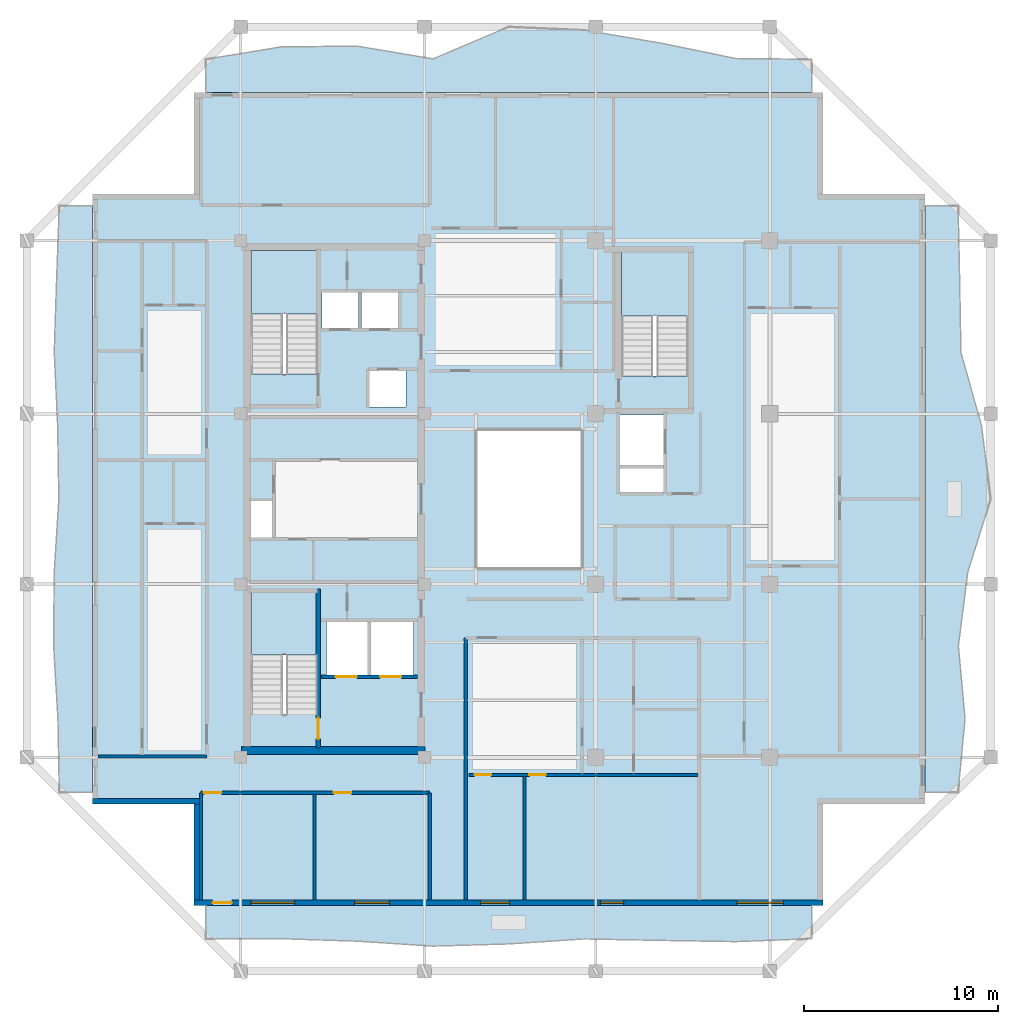
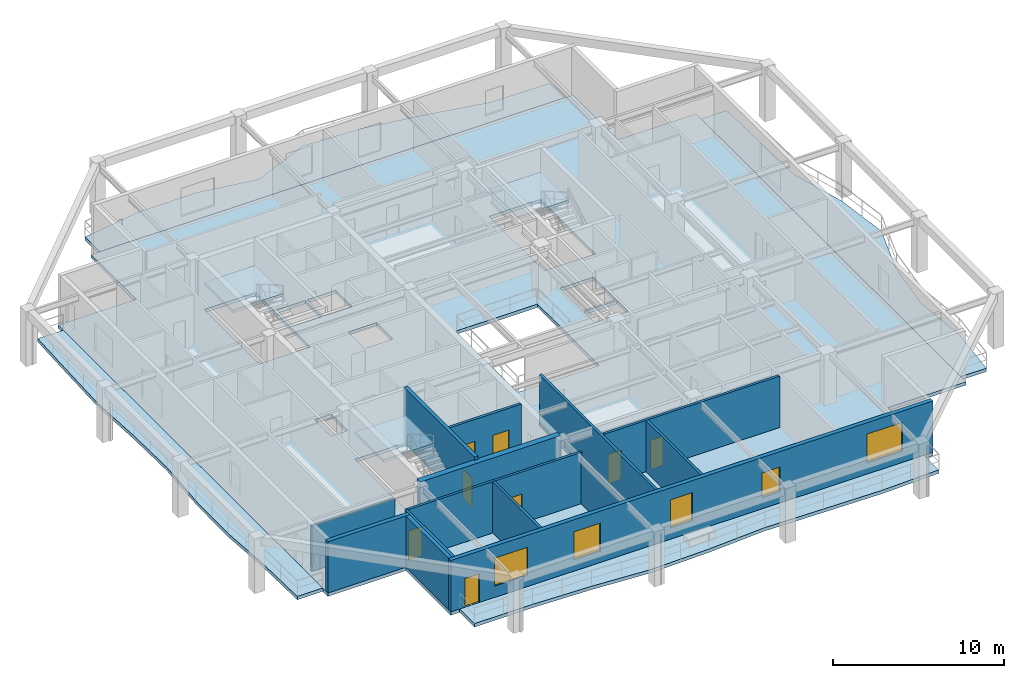
# One storey, part 2 of 11: 14 walls, 8 doors, 8 slabs, 5 windows, 13 openings, 3 elements without a shape of their own.
"""IFC4 building model written with IfcOpenShell, lengths in metres."""

import ifcopenshell
import ifcopenshell.guid

model = None  # the IFC model being written
_history = None  # IfcOwnerHistory: only IFC2X3 demands one
_inside = {}  # id of a spatial element -> (the spatial element, [elements in it])
_under = {}  # id of a project, library or spatial element -> (it, [spatial elements below it])
_declared = {}  # id of a project -> (the project, [libraries it declares])
_typed = {}  # id of a type object -> (the type object, [elements of that type])
_made_of = {}  # id of a material, layer set ... -> (it, [elements and type objects made of it])


def new_model(schema):
    """Start an empty IFC model of exactly this schema.

    Asked for "IFC4X3", IfcOpenShell would pick the latest addendum, in which some entities
    have other attributes; the version numbers below select the first issue.
    IFC2X3 requires an IfcOwnerHistory on every rooted entity: one is made here for all.
    """
    global model, _history
    if schema == "IFC4X3":
        model = ifcopenshell.file(schema_version=(4, 3, 0, 0))
    else:
        model = ifcopenshell.file(schema=schema)
    _inside.clear()
    _under.clear()
    _declared.clear()
    _typed.clear()
    _made_of.clear()
    _history = None
    if model.schema == "IFC2X3":
        org = make("IfcOrganization", Name="unknown")
        user = make(
            "IfcPersonAndOrganization",
            ThePerson=make("IfcPerson", FamilyName="unknown"),
            TheOrganization=org,
        )
        app = make(
            "IfcApplication",
            ApplicationDeveloper=org,
            Version="unknown",
            ApplicationFullName="unknown",
            ApplicationIdentifier="unknown",
        )
        _history = make(
            "IfcOwnerHistory",
            OwningUser=user,
            OwningApplication=app,
            ChangeAction="ADDED",
            CreationDate=0,
        )
    return model


def make(cls, **values):
    """One entity of the class cls with the attributes given. An attribute that is None is left unset."""
    return model.create_entity(
        cls, **{name: value for name, value in values.items() if value is not None}
    )


def rooted(cls, **values):
    """An entity with a GlobalId (a new one), such as an element, a storey or a relation."""
    return make(cls, GlobalId=ifcopenshell.guid.new(), OwnerHistory=_history, **values)


def si_unit(unit_type, name, prefix=None):
    """IfcSIUnit, for example si_unit("LENGTHUNIT", "METRE", prefix="MILLI")."""
    return make("IfcSIUnit", UnitType=unit_type, Prefix=prefix, Name=name)


def assignment(units):
    """IfcUnitAssignment: the units of a project."""
    return None if units is None else make("IfcUnitAssignment", Units=units)


def point(xyz):
    """IfcCartesianPoint."""
    return None if xyz is None else make("IfcCartesianPoint", Coordinates=xyz)


def direction(xyz):
    """IfcDirection."""
    return None if xyz is None else make("IfcDirection", DirectionRatios=xyz)


def frame(location, z_axis=None, x_axis=None):
    """IfcAxis2Placement3D, a coordinate frame: its origin and axes. An axis left out is left unset."""
    return make(
        "IfcAxis2Placement3D",
        Location=point(location),
        Axis=direction(z_axis),
        RefDirection=direction(x_axis),
    )


def frame_2d(location, x_axis=None):
    """IfcAxis2Placement2D, a coordinate frame in the plane: its origin and x axis."""
    return make(
        "IfcAxis2Placement2D", Location=point(location), RefDirection=direction(x_axis)
    )


def origin():
    """The frame at (0, 0, 0) with its axes left unset."""
    return frame((0.0, 0.0, 0.0))


def place(relative_to, where):
    """IfcLocalPlacement: puts the frame where relative to a parent placement (None: the world)."""
    return make(
        "IfcLocalPlacement", PlacementRelTo=relative_to, RelativePlacement=where
    )


def context(
    kind, dimensions, precision=None, world=None, true_north=None, identifier=None
):
    """IfcGeometricRepresentationContext, for example the 3D "Model" context."""
    return make(
        "IfcGeometricRepresentationContext",
        ContextIdentifier=identifier,
        ContextType=kind,
        CoordinateSpaceDimension=dimensions,
        Precision=precision,
        WorldCoordinateSystem=world,
        TrueNorth=true_north,
    )


def subcontext(parent, identifier, kind, view, scale=None):
    """IfcGeometricRepresentationSubContext, for example "Body" below "Model"."""
    return make(
        "IfcGeometricRepresentationSubContext",
        ContextIdentifier=identifier,
        ContextType=kind,
        ParentContext=parent,
        TargetScale=scale,
        TargetView=view,
    )


def project(units=None, contexts=None):
    """IfcProject with its units and contexts."""
    return rooted(
        "IfcProject",
        Name="project",
        RepresentationContexts=contexts,
        UnitsInContext=assignment(units),
    )


def spatial(cls, under=None, at=None, **own):
    """A site, building, storey or space (cls), placed at a placement, below another one or the project."""
    s = rooted(cls, ObjectPlacement=at, **own)
    if under is not None:
        _under.setdefault(under.id(), (under, []))[1].append(s)
    return s


def polyline(points):
    """IfcPolyline through the points."""
    return make("IfcPolyline", Points=[point(p) for p in points])


def profile(cls, at=None, kind="AREA", **sizes):
    """A parametric profile (cls). Its sizes go by their IFC names, for example OverallWidth=200.0."""
    return make(cls, ProfileType=kind, Position=at, **sizes)


def rectangle(**sizes):
    """IfcRectangleProfileDef."""
    return profile("IfcRectangleProfileDef", **sizes)


def outline(outer, holes=None, kind="AREA"):
    """IfcArbitraryClosedProfileDef: a profile drawn as a closed curve; with holes, ...WithVoids."""
    if holes is None:
        return make("IfcArbitraryClosedProfileDef", ProfileType=kind, OuterCurve=outer)
    return make(
        "IfcArbitraryProfileDefWithVoids",
        ProfileType=kind,
        OuterCurve=outer,
        InnerCurves=holes,
    )


def extrude(swept, where, along, depth):
    """IfcExtrudedAreaSolid: the profile swept, set in the frame where, extruded along a direction by depth."""
    return make(
        "IfcExtrudedAreaSolid",
        SweptArea=swept,
        Position=where,
        ExtrudedDirection=direction(along),
        Depth=depth,
    )


def shape(context_of_items, identifier, shape_type, items):
    """IfcShapeRepresentation: the items that make up one representation, for example the "Body"."""
    return make(
        "IfcShapeRepresentation",
        ContextOfItems=context_of_items,
        RepresentationIdentifier=identifier,
        RepresentationType=shape_type,
        Items=items,
    )


def material(Name=None, Category=None):
    """IfcMaterial."""
    return make("IfcMaterial", Name=Name, Category=Category)


def layer(
    of_material, thickness, ventilated=None, Name=None, Category=None, Priority=None
):
    """IfcMaterialLayer: one layer of a wall or slab, of a material (None: an air gap)."""
    return make(
        "IfcMaterialLayer",
        Material=of_material,
        LayerThickness=thickness,
        IsVentilated=ventilated,
        Name=Name,
        Category=Category,
        Priority=Priority,
    )


def layer_set(layers, Name=None):
    """IfcMaterialLayerSet."""
    return make("IfcMaterialLayerSet", MaterialLayers=layers, LayerSetName=Name)


def made_of(thing, what):
    """Note that an element or type object is made of a material, layer set ...; save() writes the relation."""
    if what is not None:
        _made_of.setdefault(what.id(), (what, []))[1].append(thing)
    return thing


def type_object(cls, material=None, **own):
    """A type object (cls), such as IfcWallType, which elements share."""
    return made_of(rooted(cls, **own), material)


def element(
    cls,
    number,
    at=None,
    inside=None,
    cuts=None,
    type_object=None,
    material=None,
    context=None,
    identifier="Body",
    shape_type=None,
    held_by="IfcProductDefinitionShape",
    body=None,
    shapes=None,
    **own,
):
    """One element of the class cls, such as IfcWall. Its Tag is "e" and its number.

    at: its placement. inside: the storey or other place that contains it. cuts: it is an
    opening in that element (IfcRelVoidsElement). A single representation is given by context,
    identifier, shape_type and body (its items); several are given by shapes. held_by: the class
    of the entity that holds the representations. save() writes the other relations.
    """
    e = rooted(cls, Tag="e%d" % number, ObjectPlacement=at, **own)
    if body is not None:
        shapes = [shape(context, identifier, shape_type, body)]
    if shapes is not None:
        e.Representation = make(held_by, Representations=shapes)
    if inside is not None:
        _inside.setdefault(inside.id(), (inside, []))[1].append(e)
    if cuts is not None:
        rooted(
            "IfcRelVoidsElement", RelatingBuildingElement=cuts, RelatedOpeningElement=e
        )
    if type_object is not None:
        _typed.setdefault(type_object.id(), (type_object, []))[1].append(e)
    return made_of(e, material)


def fill(opening, filler):
    """IfcRelFillsElement: the door or window that sits in an opening."""
    return rooted(
        "IfcRelFillsElement",
        RelatingOpeningElement=opening,
        RelatedBuildingElement=filler,
    )


def aggregate(whole, parts):
    """IfcRelAggregates: a whole, such as a stair, and the parts it consists of."""
    return rooted("IfcRelAggregates", RelatingObject=whole, RelatedObjects=parts)


def save(model, path):
    """Write the relations noted so far, then the file.

    IfcRelAggregates (storeys below a building ...), IfcRelContainedInSpatialStructure (elements
    in a storey), IfcRelDefinesByType, IfcRelAssociatesMaterial and IfcRelDeclares: one each for
    every whole, place, type object, material and project.
    """
    for whole, parts in _under.values():
        aggregate(whole, parts)
    for where, things in _inside.values():
        rooted(
            "IfcRelContainedInSpatialStructure",
            RelatedElements=things,
            RelatingStructure=where,
        )
    for kind, things in _typed.values():
        rooted("IfcRelDefinesByType", RelatedObjects=things, RelatingType=kind)
    for what, things in _made_of.values():
        rooted("IfcRelAssociatesMaterial", RelatedObjects=things, RelatingMaterial=what)
    for by, libraries in _declared.values():
        rooted("IfcRelDeclares", RelatingContext=by, RelatedDefinitions=libraries)
    model.write(path)


model = new_model("IFC4")

# Units and contexts
model_context = context("Model", 3, precision=1e-05, world=origin(), true_north=direction((0.0, 1.0)))
body_context = subcontext(model_context, "Body", "Model", "MODEL_VIEW")
ifc_project = project(units=[si_unit("LENGTHUNIT", "METRE"), si_unit("AREAUNIT", "SQUARE_METRE"), si_unit("VOLUMEUNIT", "CUBIC_METRE"), si_unit("PLANEANGLEUNIT", "RADIAN"), si_unit("MASSUNIT", "GRAM", prefix="KILO")], contexts=[model_context])

# Site, building, storey
site_placement = place(None, origin())
site = spatial("IfcSite", under=ifc_project, at=site_placement, CompositionType="ELEMENT")
building_placement = place(site_placement, origin())
building = spatial("IfcBuilding", under=site, at=building_placement, Name="Kundavana Baori Tower", CompositionType="ELEMENT")
storey_placement = place(building_placement, frame((0.0, 0.0, 253.10009765625)))
storey = spatial("IfcBuildingStorey", under=building, at=storey_placement, Name="L62", CompositionType="ELEMENT", Elevation=253.10009765625)

# Slab
ifc_material_1 = material(Name="Concrete C40/50", Category="concrete")
ifc_layer_1 = layer(ifc_material_1, 0.239990234375, Name="SLB-FLR-240")
ifc_layer_set_1 = layer_set([ifc_layer_1], Name="Concrete C40/50")
slab_type_1 = type_object("IfcSlabType", Name="SLB-FLR-240", PredefinedType="FLOOR", material=ifc_layer_set_1)
slab_1_placement = place(storey_placement, frame((0.0, 0.0, -0.239990234375)))
element("IfcSlab", 1, at=slab_1_placement, inside=storey, type_object=slab_type_1, Name="L62 Structural Floor Slab", PredefinedType="FLOOR", context=body_context, shape_type="SweptSolid", body=[
    extrude(outline(polyline([(13.050048828125, 7.60009765625), (45.550048828125, 7.60009765625), (45.550048828125, 12.85009765625), (50.800048828125, 12.85009765625), (50.800048828125, 44.35009765625), (45.550048828125, 44.35009765625), (45.550048828125, 49.60009765625), (13.050048828125, 49.60009765625), (13.050048828125, 44.35009765625), (7.800048828125, 44.35009765625), (7.800048828125, 12.85009765625), (13.050048828125, 12.85009765625), (13.050048828125, 7.60009765625)]), holes=[polyline([(19.43994140625, 17.4619140625), (19.43994140625, 23.85009765625), (15.97998046875, 23.85009765625), (15.97998046875, 17.4619140625), (19.43994140625, 17.4619140625)]), polyline([(19.43994140625, 35.06201171875), (19.43994140625, 41.449951171875), (15.97998046875, 41.449951171875), (15.97998046875, 35.06201171875), (19.43994140625, 35.06201171875)]), polyline([(38.580078125, 34.9619140625), (38.580078125, 41.35009765625), (35.1201171875, 41.35009765625), (35.1201171875, 34.9619140625), (38.580078125, 34.9619140625)]), polyline([(19.64990234375, 37.39990234375), (21.550048828125, 37.39990234375), (21.550048828125, 39.300048828125), (19.64990234375, 39.300048828125), (19.64990234375, 37.39990234375)]), polyline([(21.699951171875, 37.39990234375), (23.60009765625, 37.39990234375), (23.60009765625, 39.300048828125), (21.699951171875, 39.300048828125), (21.699951171875, 37.39990234375)]), polyline([(22.10009765625, 33.35009765625), (24.0, 33.35009765625), (24.0, 35.25), (22.10009765625, 35.25), (22.10009765625, 33.35009765625)]), polyline([(19.8798828125, 19.5), (22.02001953125, 19.5), (22.02001953125, 22.25), (19.8798828125, 22.25), (19.8798828125, 19.5)]), polyline([(22.179931640625, 19.5), (24.3798828125, 19.5), (24.3798828125, 22.25), (22.179931640625, 22.25), (22.179931640625, 19.5)]), polyline([(35.050048828125, 30.35009765625), (37.300048828125, 30.35009765625), (37.300048828125, 32.949951171875), (35.050048828125, 32.949951171875), (35.050048828125, 30.35009765625)]), polyline([(15.949951171875, 26.60009765625), (17.080078125, 26.60009765625), (17.080078125, 28.5), (15.949951171875, 28.5), (15.949951171875, 26.60009765625)]), polyline([(35.050048828125, 28.949951171875), (37.300048828125, 28.949951171875), (37.300048828125, 30.199951171875), (35.050048828125, 30.199951171875), (35.050048828125, 28.949951171875)]), polyline([(27.60009765625, 25.0), (33.10009765625, 25.0), (33.10009765625, 32.199951171875), (27.60009765625, 32.199951171875), (27.60009765625, 25.0)])]), origin(), (0.0, 0.0, 1.0), 0.239990234375),
])

# Stair, slab
ifc_material_2 = material(Name="Concrete C40/50", Category="concrete")
stair_type = type_object("IfcStairType", Name="STR-DOG-1650", PredefinedType="HALF_TURN_STAIR", material=ifc_material_2)
stair_1_placement = place(storey_placement, origin())
stair_1 = element("IfcStair", 2, at=stair_1_placement, inside=storey, type_object=stair_type, Name="L62 Protected Exit Stair ST1", PredefinedType="HALF_TURN_STAIR")
ifc_material_3 = material(Name="Concrete C40/50", Category="concrete")
ifc_layer_2 = layer(ifc_material_3, 0.199951171875, Name="SLB-LND-200")
ifc_layer_set_2 = layer_set([ifc_layer_2], Name="Concrete C40/50")
slab_type_2 = type_object("IfcSlabType", Name="SLB-LND-200", PredefinedType="LANDING", material=ifc_layer_set_2)
slab_2_placement = place(storey_placement, frame((0.0, 0.0, 1.75)))
slab_2 = element("IfcSlab", 3, at=slab_2_placement, type_object=slab_type_2, Name="ST1 landing 1", PredefinedType="LANDING", context=body_context, shape_type="SweptSolid", body=[
    extrude(outline(polyline([(19.43994140625, 20.550048828125), (19.43994140625, 23.85009765625), (15.97998046875, 23.85009765625), (15.97998046875, 20.550048828125), (19.43994140625, 20.550048828125)])), origin(), (0.0, 0.0, 1.0), 0.199951171875),
])
aggregate(stair_1, [slab_2])

stair_2_placement = place(storey_placement, origin())
stair_2 = element("IfcStair", 4, at=stair_2_placement, inside=storey, type_object=stair_type, Name="L62 Protected Exit Stair ST2", PredefinedType="HALF_TURN_STAIR")
slab_3_placement = place(storey_placement, frame((0.0, 0.0, 1.75)))
slab_3 = element("IfcSlab", 5, at=slab_3_placement, type_object=slab_type_2, Name="ST2 landing 1", PredefinedType="LANDING", context=body_context, shape_type="SweptSolid", body=[
    extrude(outline(polyline([(19.43994140625, 38.14990234375), (19.43994140625, 41.449951171875), (15.97998046875, 41.449951171875), (15.97998046875, 38.14990234375), (19.43994140625, 38.14990234375)])), origin(), (0.0, 0.0, 1.0), 0.199951171875),
])
aggregate(stair_2, [slab_3])

stair_3_placement = place(storey_placement, origin())
stair_3 = element("IfcStair", 6, at=stair_3_placement, inside=storey, type_object=stair_type, Name="L62 Protected Exit Stair ST3", PredefinedType="HALF_TURN_STAIR")
slab_4_placement = place(storey_placement, frame((0.0, 0.0, 1.75)))
slab_4 = element("IfcSlab", 7, at=slab_4_placement, type_object=slab_type_2, Name="ST3 landing 1", PredefinedType="LANDING", context=body_context, shape_type="SweptSolid", body=[
    extrude(outline(polyline([(38.580078125, 38.050048828125), (38.580078125, 41.35009765625), (35.1201171875, 41.35009765625), (35.1201171875, 38.050048828125), (38.580078125, 38.050048828125)])), origin(), (0.0, 0.0, 1.0), 0.199951171875),
])
aggregate(stair_3, [slab_4])

# Slabs
ifc_material_4 = material(Name="Concrete C40/50", Category="concrete")
ifc_layer_3 = layer(ifc_material_4, 0.239990234375, Name="SLB-LOG-240")
ifc_layer_set_3 = layer_set([ifc_layer_3], Name="Concrete C40/50")
slab_type_3 = type_object("IfcSlabType", Name="SLB-LOG-240", PredefinedType="FLOOR", material=ifc_layer_set_3)
slab_5_placement = place(storey_placement, frame((0.0, 0.0, -0.239990234375)))
element("IfcSlab", 8, at=slab_5_placement, inside=storey, type_object=slab_type_3, Name="L62 Planted Loggia Balcony Slab S", PredefinedType="FLOOR", context=body_context, shape_type="SweptSolid", body=[
    extrude(outline(polyline([(13.64990234375, 7.60009765625), (44.949951171875, 7.60009765625), (44.949951171875, 5.8798828125), (41.0380859375, 5.72900390625), (37.125, 5.7939453125), (33.212890625, 5.867919921875), (29.300048828125, 5.610107421875), (25.387939453125, 5.49609375), (21.47509765625, 5.7529296875), (17.56201171875, 5.8798828125), (13.64990234375, 5.8798828125), (13.64990234375, 7.60009765625)])), origin(), (0.0, 0.0, 1.0), 0.239990234375),
])
slab_6_placement = place(storey_placement, frame((0.0, 0.0, -0.239990234375)))
element("IfcSlab", 9, at=slab_6_placement, inside=storey, type_object=slab_type_3, Name="L62 Planted Loggia Balcony Slab E", PredefinedType="FLOOR", context=body_context, shape_type="SweptSolid", body=[
    extrude(outline(polyline([(50.800048828125, 13.449951171875), (50.800048828125, 43.75), (52.52001953125, 43.75), (52.60205078125, 39.9619140625), (52.6669921875, 36.175048828125), (53.73291015625, 32.387939453125), (54.199951171875, 28.60009765625), (53.02294921875, 24.81201171875), (52.537109375, 21.02490234375), (52.8798828125, 17.238037109375), (52.52001953125, 13.449951171875), (50.800048828125, 13.449951171875)])), origin(), (0.0, 0.0, 1.0), 0.239990234375),
])
slab_7_placement = place(storey_placement, frame((0.0, 0.0, -0.239990234375)))
element("IfcSlab", 10, at=slab_7_placement, inside=storey, type_object=slab_type_3, Name="L62 Planted Loggia Balcony Slab N", PredefinedType="FLOOR", context=body_context, shape_type="SweptSolid", body=[
    extrude(outline(polyline([(44.949951171875, 49.60009765625), (13.64990234375, 49.60009765625), (13.64990234375, 51.320068359375), (17.56201171875, 51.9619140625), (21.47509765625, 51.9990234375), (25.387939453125, 51.337890625), (29.300048828125, 53.0), (33.212890625, 52.822998046875), (37.125, 52.162109375), (41.0380859375, 51.360107421875), (44.949951171875, 51.320068359375), (44.949951171875, 49.60009765625)])), origin(), (0.0, 0.0, 1.0), 0.239990234375),
])
slab_8_placement = place(storey_placement, frame((0.0, 0.0, -0.239990234375)))
element("IfcSlab", 11, at=slab_8_placement, inside=storey, type_object=slab_type_3, Name="L62 Planted Loggia Balcony Slab W", PredefinedType="FLOOR", context=body_context, shape_type="SweptSolid", body=[
    extrude(outline(polyline([(7.800048828125, 43.75), (7.800048828125, 13.449951171875), (6.080078125, 13.449951171875), (6.009033203125, 17.238037109375), (5.787109375, 21.02490234375), (5.818115234375, 24.81201171875), (6.055908203125, 28.60009765625), (5.9951171875, 32.387939453125), (5.820068359375, 36.175048828125), (5.93994140625, 39.9619140625), (6.080078125, 43.75), (7.800048828125, 43.75)])), origin(), (0.0, 0.0, 1.0), 0.239990234375),
])

# Wall
ifc_material_5 = material(Name="Concrete C50/60", Category="concrete")
ifc_layer_4 = layer(ifc_material_5, 0.39990234375, Name="WL-CORE-400")
ifc_layer_set_4 = layer_set([ifc_layer_4], Name="Concrete C50/60")
wall_type_1 = type_object("IfcWallType", Name="WL-CORE-400", PredefinedType="SHEAR", material=ifc_layer_set_4)
wall_1_placement = place(storey_placement, frame((15.5, 15.610107421875, 0.0), z_axis=(0.0, 0.0, 1.0), x_axis=(1.0, 0.0, 0.0)))
element("IfcWall", 12, at=wall_1_placement, inside=storey, type_object=wall_type_1, Name="L62 Offset Core South Shear Wall", PredefinedType="SHEAR", context=body_context, shape_type="SweptSolid", body=[
    extrude(rectangle(XDim=9.47998046875, YDim=0.39990234375, at=frame_2d((4.739990234375, 0.0))), origin(), (0.0, 0.0, 1.0), 3.659912109375),
])

# Wall, opening, door
wall_2_placement = place(storey_placement, frame((19.4599609375, 15.739990234375, 0.0), z_axis=(0.0, 0.0, 1.0), x_axis=(0.0, 1.0, 0.0)))
wall_2 = element("IfcWall", 13, at=wall_2_placement, inside=storey, type_object=wall_type_1, Name="WL-L62-ST1-E", PredefinedType="SHEAR", context=body_context, shape_type="SweptSolid", body=[
    extrude(rectangle(XDim=8.199951171875, YDim=0.239990234375, at=frame_2d((4.10009765625, 0.0))), origin(), (0.0, 0.0, 1.0), 3.89990234375),
])
opening_1_placement = place(wall_2_placement, frame((0.449951171875, 0.0, 0.0)))
opening_1 = element("IfcOpeningElement", 14, at=opening_1_placement, cuts=wall_2, Name="Opening FD-110", PredefinedType="OPENING", context=body_context, shape_type="SweptSolid", body=[
    extrude(rectangle(XDim=1.10009765625, YDim=2.10009765625, at=frame_2d((0.550048828125, 1.050048828125))), frame((0.0, 0.1298828125, 0.0), z_axis=(0.0, -1.0, 0.0), x_axis=(1.0, 0.0, 0.0)), (0.0, 0.0, 1.0), 0.260009765625),
])
ifc_material_6 = material(Name="Galvanised Steel Fire-Rated Door Leaf", Category="steel")
door_type_1 = type_object("IfcDoorType", Name="DR-FD120-1100", OperationType="NOTDEFINED", PredefinedType="DOOR", material=ifc_material_6)
door_1_placement = place(opening_1_placement, origin())
door_1 = element("IfcDoor", 15, at=door_1_placement, inside=storey, type_object=door_type_1, Name="DR-L62-ST1", OperationType="SINGLE_SWING_LEFT", OverallHeight=2.10009765625, OverallWidth=1.10009765625, PredefinedType="DOOR", context=body_context, shape_type="SweptSolid", body=[
    extrude(rectangle(XDim=1.10009765625, YDim=2.10009765625, at=frame_2d((0.550048828125, 1.050048828125))), frame((0.0, 0.02490234375, 0.0), z_axis=(0.0, -1.0, 0.0), x_axis=(1.0, 0.0, 0.0)), (0.0, 0.0, 1.0), 0.050048828125),
])
fill(opening_1, door_1)

# Wall, openings, door, windows
ifc_material_7 = material(Name="Red-Buff Dholpur Sandstone Cladding on Concrete C40/50", Category="masonry")
ifc_layer_5 = layer(ifc_material_7, 0.280029296875, Name="WL-EXT-SAND-280")
ifc_layer_set_5 = layer_set([ifc_layer_5], Name="Red-Buff Dholpur Sandstone Cladding on Concrete C40/50")
wall_type_2 = type_object("IfcWallType", Name="WL-EXT-SAND-280", PredefinedType="STANDARD", material=ifc_layer_set_5)
wall_3_placement = place(storey_placement, frame((13.050048828125, 7.739990234375, 0.0), z_axis=(0.0, 0.0, 1.0), x_axis=(1.0, 0.0, 0.0)))
wall_3 = element("IfcWall", 16, at=wall_3_placement, inside=storey, type_object=wall_type_2, Name="L62 Exterior Insulated Facade Wall 01", PredefinedType="STANDARD", context=body_context, shape_type="SweptSolid", body=[
    extrude(rectangle(XDim=32.5, YDim=0.280029296875, at=frame_2d((16.25, 0.0))), origin(), (0.0, 0.0, 1.0), 3.659912109375),
])
opening_2_placement = place(wall_3_placement, frame((0.949951171875, 0.0, 0.0)))
opening_2 = element("IfcOpeningElement", 17, at=opening_2_placement, cuts=wall_3, Name="Opening BD-1", PredefinedType="OPENING", context=body_context, shape_type="SweptSolid", body=[
    extrude(rectangle(XDim=1.0, YDim=2.050048828125, at=frame_2d((0.5, 1.02490234375))), frame((0.0, 0.14990234375, 0.0), z_axis=(0.0, -1.0, 0.0), x_axis=(1.0, 0.0, 0.0)), (0.0, 0.0, 1.0), 0.300048828125),
])
opening_3_placement = place(wall_3_placement, frame((2.93505859375, 0.0, 0.800048828125)))
opening_3 = element("IfcOpeningElement", 18, at=opening_3_placement, cuts=wall_3, Name="Opening W-10", PredefinedType="OPENING", context=body_context, shape_type="SweptSolid", body=[
    extrude(rectangle(XDim=2.25, YDim=2.0, at=frame_2d((1.125, 1.0))), frame((0.0, 0.14990234375, 0.0), z_axis=(0.0, -1.0, 0.0), x_axis=(1.0, 0.0, 0.0)), (0.0, 0.0, 1.0), 0.300048828125),
])
opening_4_placement = place(wall_3_placement, frame((8.294921875, 0.0, 0.800048828125)))
opening_4 = element("IfcOpeningElement", 19, at=opening_4_placement, cuts=wall_3, Name="Opening W-01", PredefinedType="OPENING", context=body_context, shape_type="SweptSolid", body=[
    extrude(rectangle(XDim=1.800048828125, YDim=2.0, at=frame_2d((0.89990234375, 1.0))), frame((0.0, 0.14990234375, 0.0), z_axis=(0.0, -1.0, 0.0), x_axis=(1.0, 0.0, 0.0)), (0.0, 0.0, 1.0), 0.300048828125),
])
opening_5_placement = place(wall_3_placement, frame((14.802001953125, 0.0, 0.800048828125)))
opening_5 = element("IfcOpeningElement", 20, at=opening_5_placement, cuts=wall_3, Name="Opening W-02", PredefinedType="OPENING", context=body_context, shape_type="SweptSolid", body=[
    extrude(rectangle(XDim=1.5, YDim=2.0, at=frame_2d((0.75, 1.0))), frame((0.0, 0.14990234375, 0.0), z_axis=(0.0, -1.0, 0.0), x_axis=(1.0, 0.0, 0.0)), (0.0, 0.0, 1.0), 0.300048828125),
])
opening_6_placement = place(wall_3_placement, frame((20.988037109375, 0.0, 0.800048828125)))
opening_6 = element("IfcOpeningElement", 21, at=opening_6_placement, cuts=wall_3, Name="Opening W-03", PredefinedType="OPENING", context=body_context, shape_type="SweptSolid", body=[
    extrude(rectangle(XDim=1.199951171875, YDim=1.75, at=frame_2d((0.60009765625, 0.875))), frame((0.0, 0.14990234375, 0.0), z_axis=(0.0, -1.0, 0.0), x_axis=(1.0, 0.0, 0.0)), (0.0, 0.0, 1.0), 0.300048828125),
])
opening_7_placement = place(wall_3_placement, frame((28.044921875, 0.0, 0.800048828125)))
opening_7 = element("IfcOpeningElement", 22, at=opening_7_placement, cuts=wall_3, Name="Opening W-04", PredefinedType="OPENING", context=body_context, shape_type="SweptSolid", body=[
    extrude(rectangle(XDim=2.39990234375, YDim=2.050048828125, at=frame_2d((1.199951171875, 1.02490234375))), frame((0.0, 0.14990234375, 0.0), z_axis=(0.0, -1.0, 0.0), x_axis=(1.0, 0.0, 0.0)), (0.0, 0.0, 1.0), 0.300048828125),
])
ifc_material_8 = material(Name="Architectural Patinated Bronze Metalwork")
door_type_2 = type_object("IfcDoorType", Name="DR-EXT-LOG-1000", OperationType="NOTDEFINED", PredefinedType="DOOR", material=ifc_material_8)
door_2_placement = place(opening_2_placement, frame((1.0, 0.0, 0.0), z_axis=(0.0, 0.0, 1.0), x_axis=(-1.0, 0.0, 0.0)))
door_2 = element("IfcDoor", 23, at=door_2_placement, inside=storey, type_object=door_type_2, Name="L62 Loggia Balcony Access Door S", OperationType="SINGLE_SWING_LEFT", OverallHeight=2.050048828125, OverallWidth=1.0, PredefinedType="DOOR", context=body_context, shape_type="SweptSolid", body=[
    extrude(rectangle(XDim=1.0, YDim=2.050048828125, at=frame_2d((0.5, 1.02490234375))), frame((0.0, 0.02490234375, 0.0), z_axis=(0.0, -1.0, 0.0), x_axis=(1.0, 0.0, 0.0)), (0.0, 0.0, 1.0), 0.050048828125),
])
fill(opening_2, door_2)
ifc_material_9 = material(Name="Double-Glazed Solar-Control Low-E Insulated Glass", Category="glass")
window_type_1 = type_object("IfcWindowType", Name="WIN-LOG-1200x1750", PartitioningType="SINGLE_PANEL", PredefinedType="WINDOW", material=ifc_material_9)
window_1_placement = place(opening_6_placement, origin())
window_1 = element("IfcWindow", 24, at=window_1_placement, inside=storey, type_object=window_type_1, Name="L62 Recessed Loggia Window S-4", OverallHeight=1.75, OverallWidth=1.199951171875, PartitioningType="SINGLE_PANEL", PredefinedType="WINDOW", context=body_context, shape_type="SweptSolid", body=[
    extrude(rectangle(XDim=1.199951171875, YDim=1.75, at=frame_2d((0.60009765625, 0.875))), frame((0.0, 0.030029296875, 0.0), z_axis=(0.0, -1.0, 0.0), x_axis=(1.0, 0.0, 0.0)), (0.0, 0.0, 1.0), 0.06005859375),
])
fill(opening_6, window_1)
ifc_material_10 = material(Name="Double-Glazed Solar-Control Low-E Insulated Glass", Category="glass")
window_type_2 = type_object("IfcWindowType", Name="WIN-LOG-1500x2000", PartitioningType="SINGLE_PANEL", PredefinedType="WINDOW", material=ifc_material_10)
window_2_placement = place(opening_5_placement, origin())
window_2 = element("IfcWindow", 25, at=window_2_placement, inside=storey, type_object=window_type_2, Name="L62 Recessed Loggia Window S-3", OverallHeight=2.0, OverallWidth=1.5, PartitioningType="SINGLE_PANEL", PredefinedType="WINDOW", context=body_context, shape_type="SweptSolid", body=[
    extrude(rectangle(XDim=1.5, YDim=2.0, at=frame_2d((0.75, 1.0))), frame((0.0, 0.030029296875, 0.0), z_axis=(0.0, -1.0, 0.0), x_axis=(1.0, 0.0, 0.0)), (0.0, 0.0, 1.0), 0.06005859375),
])
fill(opening_5, window_2)
ifc_material_11 = material(Name="Double-Glazed Solar-Control Low-E Insulated Glass", Category="glass")
window_type_3 = type_object("IfcWindowType", Name="WIN-LOG-1800x2000", PartitioningType="SINGLE_PANEL", PredefinedType="WINDOW", material=ifc_material_11)
window_3_placement = place(opening_4_placement, origin())
window_3 = element("IfcWindow", 26, at=window_3_placement, inside=storey, type_object=window_type_3, Name="L62 Recessed Loggia Window S-2", OverallHeight=2.0, OverallWidth=1.800048828125, PartitioningType="SINGLE_PANEL", PredefinedType="WINDOW", context=body_context, shape_type="SweptSolid", body=[
    extrude(rectangle(XDim=1.800048828125, YDim=2.0, at=frame_2d((0.89990234375, 1.0))), frame((0.0, 0.030029296875, 0.0), z_axis=(0.0, -1.0, 0.0), x_axis=(1.0, 0.0, 0.0)), (0.0, 0.0, 1.0), 0.06005859375),
])
fill(opening_4, window_3)
ifc_material_12 = material(Name="Double-Glazed Solar-Control Low-E Insulated Glass", Category="glass")
window_type_4 = type_object("IfcWindowType", Name="WIN-LOG-2250x2000", PartitioningType="SINGLE_PANEL", PredefinedType="WINDOW", material=ifc_material_12)
window_4_placement = place(opening_3_placement, origin())
window_4 = element("IfcWindow", 27, at=window_4_placement, inside=storey, type_object=window_type_4, Name="L62 Recessed Loggia Window S-1", OverallHeight=2.0, OverallWidth=2.25, PartitioningType="SINGLE_PANEL", PredefinedType="WINDOW", context=body_context, shape_type="SweptSolid", body=[
    extrude(rectangle(XDim=2.25, YDim=2.0, at=frame_2d((1.125, 1.0))), frame((0.0, 0.030029296875, 0.0), z_axis=(0.0, -1.0, 0.0), x_axis=(1.0, 0.0, 0.0)), (0.0, 0.0, 1.0), 0.06005859375),
])
fill(opening_3, window_4)
ifc_material_13 = material(Name="Double-Glazed Solar-Control Low-E Insulated Glass", Category="glass")
window_type_5 = type_object("IfcWindowType", Name="WIN-LOG-2400x2050", PartitioningType="SINGLE_PANEL", PredefinedType="WINDOW", material=ifc_material_13)
window_5_placement = place(opening_7_placement, origin())
window_5 = element("IfcWindow", 28, at=window_5_placement, inside=storey, type_object=window_type_5, Name="L62 Recessed Loggia Window S-5", OverallHeight=2.050048828125, OverallWidth=2.39990234375, PartitioningType="SINGLE_PANEL", PredefinedType="WINDOW", context=body_context, shape_type="SweptSolid", body=[
    extrude(rectangle(XDim=2.39990234375, YDim=2.050048828125, at=frame_2d((1.199951171875, 1.02490234375))), frame((0.0, 0.030029296875, 0.0), z_axis=(0.0, -1.0, 0.0), x_axis=(1.0, 0.0, 0.0)), (0.0, 0.0, 1.0), 0.06005859375),
])
fill(opening_7, window_5)

# Walls
wall_4_placement = place(storey_placement, frame((7.800048828125, 12.989990234375, 0.0), z_axis=(0.0, 0.0, 1.0), x_axis=(1.0, 0.0, 0.0)))
element("IfcWall", 29, at=wall_4_placement, inside=storey, type_object=wall_type_2, Name="L62 Exterior Insulated Facade Wall 11", PredefinedType="STANDARD", context=body_context, shape_type="SweptSolid", body=[
    extrude(rectangle(XDim=5.530029296875, YDim=0.280029296875, at=frame_2d((2.76513671875, 0.0))), origin(), (0.0, 0.0, 1.0), 3.659912109375),
])
wall_5_placement = place(storey_placement, frame((13.18994140625, 12.85009765625, 0.0), z_axis=(0.0, 0.0, 1.0), x_axis=(0.0, -1.0, 0.0)))
element("IfcWall", 30, at=wall_5_placement, inside=storey, type_object=wall_type_2, Name="L62 Exterior Insulated Facade Wall 12", PredefinedType="STANDARD", context=body_context, shape_type="SweptSolid", body=[
    extrude(rectangle(XDim=4.97021484375, YDim=0.280029296875, at=frame_2d((2.485107421875, 0.0))), origin(), (0.0, 0.0, 1.0), 3.659912109375),
])
ifc_material_14 = material(Name="Fire-Rated Gypsum Drywall on Galvanised Steel Studs", Category="steel")
ifc_layer_6 = layer(ifc_material_14, 0.1650390625, Name="WL-PART-165")
ifc_layer_set_6 = layer_set([ifc_layer_6], Name="Fire-Rated Gypsum Drywall on Galvanised Steel Studs")
wall_type_3 = type_object("IfcWallType", Name="WL-PART-165", PredefinedType="PARTITIONING", material=ifc_layer_set_6)
wall_6_placement = place(storey_placement, frame((27.080078125, 7.8798828125, 0.0), z_axis=(0.0, 0.0, 1.0), x_axis=(0.0, 1.0, 0.0)))
element("IfcWall", 31, at=wall_6_placement, inside=storey, type_object=wall_type_3, Name="WL-L62-RSW", PredefinedType="PARTITIONING", context=body_context, shape_type="SweptSolid", body=[
    extrude(rectangle(XDim=13.5400390625, YDim=0.1650390625, at=frame_2d((6.77001953125, 0.0))), origin(), (0.0, 0.0, 1.0), 3.659912109375),
])

# Wall, openings, doors
wall_7_placement = place(storey_placement, frame((13.39990234375, 13.419921875, 0.0), z_axis=(0.0, 0.0, 1.0), x_axis=(1.0, 0.0, 0.0)))
wall_7 = element("IfcWall", 32, at=wall_7_placement, inside=storey, type_object=wall_type_3, Name="WL-L62-RSC", PredefinedType="PARTITIONING", context=body_context, shape_type="SweptSolid", body=[
    extrude(rectangle(XDim=11.820068359375, YDim=0.1650390625, at=frame_2d((5.91015625, 0.0))), origin(), (0.0, 0.0, 1.0), 3.659912109375),
])
opening_8_placement = place(wall_7_placement, frame((0.14990234375, 0.0, 0.0)))
opening_8 = element("IfcOpeningElement", 33, at=opening_8_placement, cuts=wall_7, Name="Opening ID-090", PredefinedType="OPENING", context=body_context, shape_type="SweptSolid", body=[
    extrude(rectangle(XDim=0.89990234375, YDim=2.080078125, at=frame_2d((0.449951171875, 1.0400390625))), frame((0.0, 0.092529296875, 0.0), z_axis=(0.0, -1.0, 0.0), x_axis=(1.0, 0.0, 0.0)), (0.0, 0.0, 1.0), 0.18505859375),
])
opening_9_placement = place(wall_7_placement, frame((6.8701171875, 0.0, 0.0)))
opening_9 = element("IfcOpeningElement", 34, at=opening_9_placement, cuts=wall_7, Name="Opening ID-090", PredefinedType="OPENING", context=body_context, shape_type="SweptSolid", body=[
    extrude(rectangle(XDim=0.89990234375, YDim=2.080078125, at=frame_2d((0.449951171875, 1.0400390625))), frame((0.0, 0.092529296875, 0.0), z_axis=(0.0, -1.0, 0.0), x_axis=(1.0, 0.0, 0.0)), (0.0, 0.0, 1.0), 0.18505859375),
])
ifc_material_15 = material(Name="Engineered Teak Solid-Core Timber Veneer", Category="wood")
door_type_3 = type_object("IfcDoorType", Name="DR-INT-900", OperationType="NOTDEFINED", PredefinedType="DOOR", material=ifc_material_15)
door_3_placement = place(opening_8_placement, frame((0.89990234375, 0.0, 0.0), z_axis=(0.0, 0.0, 1.0), x_axis=(-1.0, 0.0, 0.0)))
door_3 = element("IfcDoor", 35, at=door_3_placement, inside=storey, type_object=door_type_3, Name="DR-L62-RMSW1", OperationType="SINGLE_SWING_LEFT", OverallHeight=2.080078125, OverallWidth=0.89990234375, PredefinedType="DOOR", context=body_context, shape_type="SweptSolid", body=[
    extrude(rectangle(XDim=0.89990234375, YDim=2.080078125, at=frame_2d((0.449951171875, 1.0400390625))), frame((0.0, 0.02490234375, 0.0), z_axis=(0.0, -1.0, 0.0), x_axis=(1.0, 0.0, 0.0)), (0.0, 0.0, 1.0), 0.050048828125),
])
fill(opening_8, door_3)
door_4_placement = place(opening_9_placement, frame((0.89990234375, 0.0, 0.0), z_axis=(0.0, 0.0, 1.0), x_axis=(-1.0, 0.0, 0.0)))
door_4 = element("IfcDoor", 36, at=door_4_placement, inside=storey, type_object=door_type_3, Name="DR-L62-RMSW2", OperationType="SINGLE_SWING_RIGHT", OverallHeight=2.080078125, OverallWidth=0.89990234375, PredefinedType="DOOR", context=body_context, shape_type="SweptSolid", body=[
    extrude(rectangle(XDim=0.89990234375, YDim=2.080078125, at=frame_2d((0.449951171875, 1.0400390625))), frame((0.0, 0.02490234375, 0.0), z_axis=(0.0, -1.0, 0.0), x_axis=(1.0, 0.0, 0.0)), (0.0, 0.0, 1.0), 0.050048828125),
])
fill(opening_9, door_4)

# Walls
wall_8_placement = place(storey_placement, frame((13.39990234375, 7.8798828125, 0.0), z_axis=(0.0, 0.0, 1.0), x_axis=(0.0, 1.0, 0.0)))
element("IfcWall", 37, at=wall_8_placement, inside=storey, type_object=wall_type_3, Name="WL-L62-RSCW", PredefinedType="PARTITIONING", context=body_context, shape_type="SweptSolid", body=[
    extrude(rectangle(XDim=5.5400390625, YDim=0.1650390625, at=frame_2d((2.77001953125, 0.0))), origin(), (0.0, 0.0, 1.0), 3.659912109375),
])
wall_9_placement = place(storey_placement, frame((25.219970703125, 7.8798828125, 0.0), z_axis=(0.0, 0.0, 1.0), x_axis=(0.0, 1.0, 0.0)))
element("IfcWall", 38, at=wall_9_placement, inside=storey, type_object=wall_type_3, Name="WL-L62-RSCE", PredefinedType="PARTITIONING", context=body_context, shape_type="SweptSolid", body=[
    extrude(rectangle(XDim=5.5400390625, YDim=0.1650390625, at=frame_2d((2.77001953125, 0.0))), origin(), (0.0, 0.0, 1.0), 3.2099609375),
])
wall_10_placement = place(storey_placement, frame((19.27001953125, 7.8798828125, 0.0), z_axis=(0.0, 0.0, 1.0), x_axis=(0.0, 1.0, 0.0)))
element("IfcWall", 39, at=wall_10_placement, inside=storey, type_object=wall_type_3, Name="WL-L62-RSCD", PredefinedType="PARTITIONING", context=body_context, shape_type="SweptSolid", body=[
    extrude(rectangle(XDim=5.480224609375, YDim=0.1650390625, at=frame_2d((2.740234375, 0.0))), origin(), (0.0, 0.0, 1.0), 3.659912109375),
])
wall_11_placement = place(storey_placement, frame((8.080078125, 15.300048828125, 0.0), z_axis=(0.0, 0.0, 1.0), x_axis=(1.0, 0.0, 0.0)))
element("IfcWall", 40, at=wall_11_placement, inside=storey, type_object=wall_type_3, Name="WL-L62-RWS", PredefinedType="PARTITIONING", context=body_context, shape_type="SweptSolid", body=[
    extrude(rectangle(XDim=5.619873046875, YDim=0.1650390625, at=frame_2d((2.81005859375, 0.0))), origin(), (0.0, 0.0, 1.0), 3.2099609375),
])

# Wall, openings, doors
wall_12_placement = place(storey_placement, frame((27.239990234375, 14.341064453125, 0.0), z_axis=(0.0, 0.0, 1.0), x_axis=(1.0, 0.0, 0.0)))
wall_12 = element("IfcWall", 41, at=wall_12_placement, inside=storey, type_object=wall_type_3, Name="WL-L62-S1-HZ", PredefinedType="PARTITIONING", context=body_context, shape_type="SweptSolid", body=[
    extrude(rectangle(XDim=11.830078125, YDim=0.1650390625, at=frame_2d((5.9150390625, 0.0))), origin(), (0.0, 0.0, 1.0), 3.659912109375),
])
opening_10_placement = place(wall_12_placement, frame((0.300048828125, 0.0, 0.0)))
opening_10 = element("IfcOpeningElement", 42, at=opening_10_placement, cuts=wall_12, Name="Opening ID-085", PredefinedType="OPENING", context=body_context, shape_type="SweptSolid", body=[
    extrude(rectangle(XDim=0.85009765625, YDim=2.080078125, at=frame_2d((0.425048828125, 1.0400390625))), frame((0.0, 0.092529296875, 0.0), z_axis=(0.0, -1.0, 0.0), x_axis=(1.0, 0.0, 0.0)), (0.0, 0.0, 1.0), 0.18505859375),
])
opening_11_placement = place(wall_12_placement, frame((3.135009765625, 0.0, 0.0)))
opening_11 = element("IfcOpeningElement", 43, at=opening_11_placement, cuts=wall_12, Name="Opening ID-085", PredefinedType="OPENING", context=body_context, shape_type="SweptSolid", body=[
    extrude(rectangle(XDim=0.85009765625, YDim=2.080078125, at=frame_2d((0.425048828125, 1.0400390625))), frame((0.0, 0.092529296875, 0.0), z_axis=(0.0, -1.0, 0.0), x_axis=(1.0, 0.0, 0.0)), (0.0, 0.0, 1.0), 0.18505859375),
])
ifc_material_16 = material(Name="Engineered Teak Solid-Core Timber Veneer", Category="wood")
door_type_4 = type_object("IfcDoorType", Name="DR-INT-850", OperationType="NOTDEFINED", PredefinedType="DOOR", material=ifc_material_16)
door_5_placement = place(opening_10_placement, frame((0.85009765625, 0.0, 0.0), z_axis=(0.0, 0.0, 1.0), x_axis=(-1.0, 0.0, 0.0)))
door_5 = element("IfcDoor", 44, at=door_5_placement, inside=storey, type_object=door_type_4, Name="DR-L62-S1-B1", OperationType="SINGLE_SWING_LEFT", OverallHeight=2.080078125, OverallWidth=0.85009765625, PredefinedType="DOOR", context=body_context, shape_type="SweptSolid", body=[
    extrude(rectangle(XDim=0.85009765625, YDim=2.080078125, at=frame_2d((0.425048828125, 1.0400390625))), frame((0.0, 0.02490234375, 0.0), z_axis=(0.0, -1.0, 0.0), x_axis=(1.0, 0.0, 0.0)), (0.0, 0.0, 1.0), 0.050048828125),
])
fill(opening_10, door_5)
door_6_placement = place(opening_11_placement, frame((0.85009765625, 0.0, 0.0), z_axis=(0.0, 0.0, 1.0), x_axis=(-1.0, 0.0, 0.0)))
door_6 = element("IfcDoor", 45, at=door_6_placement, inside=storey, type_object=door_type_4, Name="DR-L62-S1-B2", OperationType="SINGLE_SWING_RIGHT", OverallHeight=2.080078125, OverallWidth=0.85009765625, PredefinedType="DOOR", context=body_context, shape_type="SweptSolid", body=[
    extrude(rectangle(XDim=0.85009765625, YDim=2.080078125, at=frame_2d((0.425048828125, 1.0400390625))), frame((0.0, 0.02490234375, 0.0), z_axis=(0.0, -1.0, 0.0), x_axis=(1.0, 0.0, 0.0)), (0.0, 0.0, 1.0), 0.050048828125),
])
fill(opening_11, door_6)

# Wall
wall_13_placement = place(storey_placement, frame((30.125, 7.8798828125, 0.0), z_axis=(0.0, 0.0, 1.0), x_axis=(0.0, 1.0, 0.0)))
element("IfcWall", 46, at=wall_13_placement, inside=storey, type_object=wall_type_3, Name="WL-L62-S1-BDV", PredefinedType="PARTITIONING", context=body_context, shape_type="SweptSolid", body=[
    extrude(rectangle(XDim=6.381103515625, YDim=0.1650390625, at=frame_2d((3.1904296875, 0.0))), origin(), (0.0, 0.0, 1.0), 3.659912109375),
])

# Wall, openings, doors
ifc_material_17 = material(Name="Autoclaved Aerated Concrete Blockwork Masonry", Category="masonry")
ifc_layer_7 = layer(ifc_material_17, 0.179931640625, Name="WL-SHAFT-180")
ifc_layer_set_7 = layer_set([ifc_layer_7], Name="Autoclaved Aerated Concrete Blockwork Masonry")
wall_type_4 = type_object("IfcWallType", Name="WL-SHAFT-180", PredefinedType="SOLIDWALL", material=ifc_layer_set_7)
wall_14_placement = place(storey_placement, frame((19.639892578125, 19.419921875, 0.0), z_axis=(0.0, 0.0, 1.0), x_axis=(1.0, 0.0, 0.0)))
wall_14 = element("IfcWall", 47, at=wall_14_placement, inside=storey, type_object=wall_type_4, Name="WL-L62-FFL-S", PredefinedType="SOLIDWALL", context=body_context, shape_type="SweptSolid", body=[
    extrude(rectangle(XDim=4.940185546875, YDim=0.179931640625, at=frame_2d((2.47021484375, 0.0))), origin(), (0.0, 0.0, 1.0), 3.659912109375),
])
opening_12_placement = place(wall_14_placement, frame((0.719970703125, 0.0, 0.0)))
opening_12 = element("IfcOpeningElement", 48, at=opening_12_placement, cuts=wall_14, Name="Opening LD-110", PredefinedType="OPENING", context=body_context, shape_type="SweptSolid", body=[
    extrude(rectangle(XDim=1.10009765625, YDim=2.10009765625, at=frame_2d((0.550048828125, 1.050048828125))), frame((0.0, 0.10009765625, 0.0), z_axis=(0.0, -1.0, 0.0), x_axis=(1.0, 0.0, 0.0)), (0.0, 0.0, 1.0), 0.199951171875),
])
opening_13_placement = place(wall_14_placement, frame((3.02001953125, 0.0, 0.0)))
opening_13 = element("IfcOpeningElement", 49, at=opening_13_placement, cuts=wall_14, Name="Opening LD-110", PredefinedType="OPENING", context=body_context, shape_type="SweptSolid", body=[
    extrude(rectangle(XDim=1.10009765625, YDim=2.10009765625, at=frame_2d((0.550048828125, 1.050048828125))), frame((0.0, 0.10009765625, 0.0), z_axis=(0.0, -1.0, 0.0), x_axis=(1.0, 0.0, 0.0)), (0.0, 0.0, 1.0), 0.199951171875),
])
ifc_material_18 = material(Name="Galvanised Steel Fire-Rated Door Leaf", Category="steel")
door_type_5 = type_object("IfcDoorType", Name="DR-SLIDE-LD1100", OperationType="NOTDEFINED", PredefinedType="DOOR", material=ifc_material_18)
door_7_placement = place(opening_12_placement, origin())
door_7 = element("IfcDoor", 50, at=door_7_placement, inside=storey, type_object=door_type_5, Name="DR-L62-LD-FFL-1", OperationType="DOUBLE_DOOR_SLIDING", OverallHeight=2.10009765625, OverallWidth=1.10009765625, PredefinedType="DOOR", context=body_context, shape_type="SweptSolid", body=[
    extrude(rectangle(XDim=1.10009765625, YDim=2.10009765625, at=frame_2d((0.550048828125, 1.050048828125))), frame((0.0, 0.02490234375, 0.0), z_axis=(0.0, -1.0, 0.0), x_axis=(1.0, 0.0, 0.0)), (0.0, 0.0, 1.0), 0.050048828125),
])
fill(opening_12, door_7)
door_8_placement = place(opening_13_placement, origin())
door_8 = element("IfcDoor", 51, at=door_8_placement, inside=storey, type_object=door_type_5, Name="DR-L62-LD-FFL-2", OperationType="DOUBLE_DOOR_SLIDING", OverallHeight=2.10009765625, OverallWidth=1.10009765625, PredefinedType="DOOR", context=body_context, shape_type="SweptSolid", body=[
    extrude(rectangle(XDim=1.10009765625, YDim=2.10009765625, at=frame_2d((0.550048828125, 1.050048828125))), frame((0.0, 0.02490234375, 0.0), z_axis=(0.0, -1.0, 0.0), x_axis=(1.0, 0.0, 0.0)), (0.0, 0.0, 1.0), 0.050048828125),
])
fill(opening_13, door_8)

save(model, "model.ifc")
